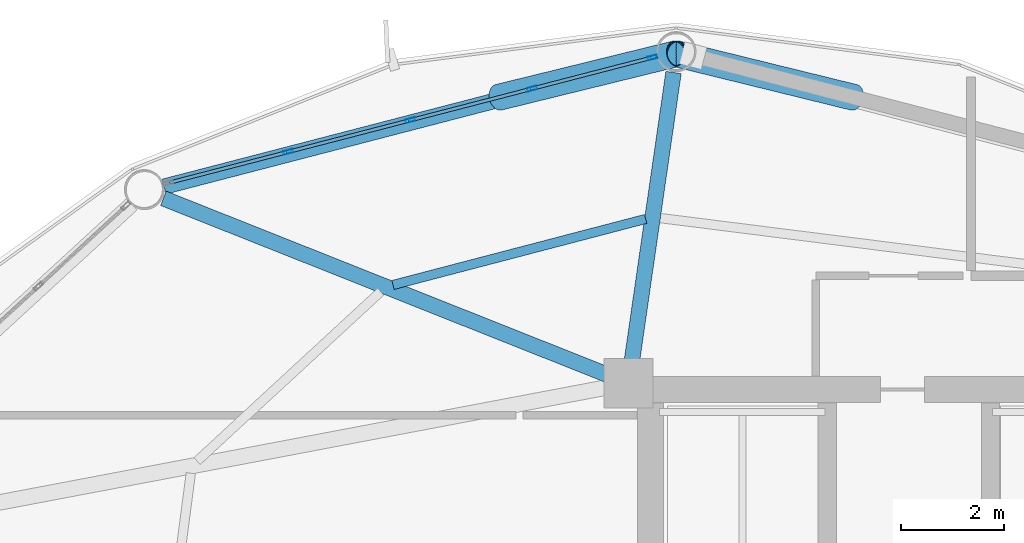
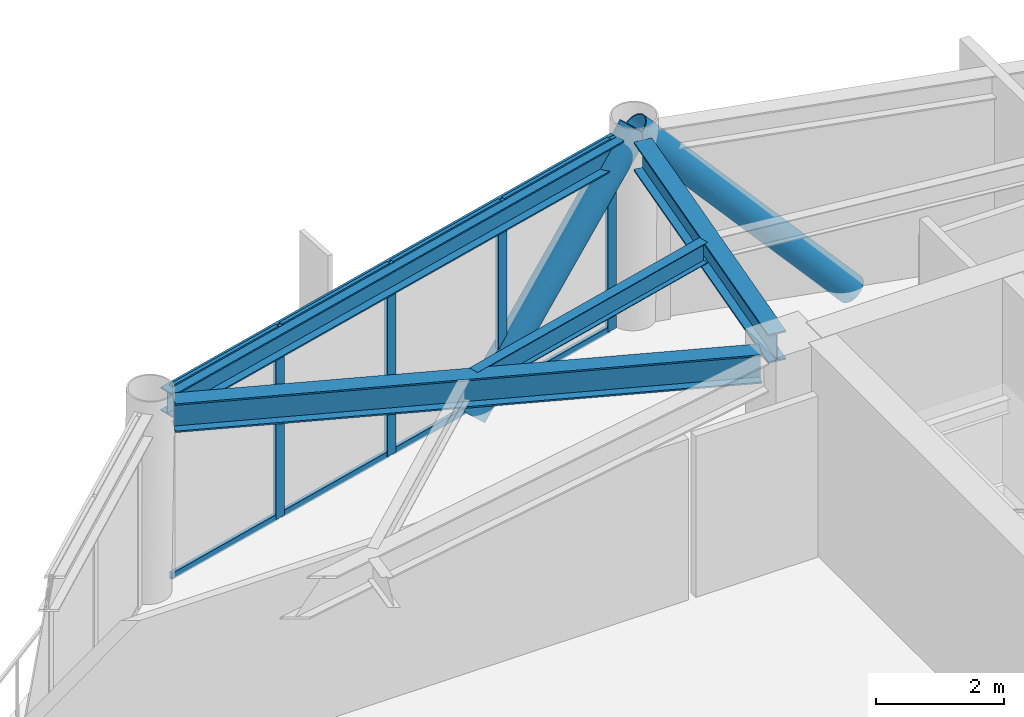
# One storey, part 18 of 26: 14 members, 4 beams, 1 element without a shape of its own.
"""IFC4 building model written with IfcOpenShell, lengths in metres."""

from ifc_helpers import new_model, si_unit, direction, frame, origin, origin_2d, place, context, subcontext, project, spatial, hollow_rectangle, hollow_circle, i_section, extrude, material, layer, layer_set, material_profile, profile_set, type_object, element, aggregate, save


model = new_model("IFC4")

# Units and contexts
model_context = context("Model", 3, precision=1e-05, world=origin(), true_north=direction((0.0, 1.0)))
body_context = subcontext(model_context, "Body", "Model", "MODEL_VIEW")
ifc_project = project(units=[si_unit("LENGTHUNIT", "METRE"), si_unit("AREAUNIT", "SQUARE_METRE"), si_unit("VOLUMEUNIT", "CUBIC_METRE"), si_unit("PLANEANGLEUNIT", "RADIAN"), si_unit("MASSUNIT", "GRAM", prefix="KILO")], contexts=[model_context])

# Site, building, storey
site_placement = place(None, origin())
site = spatial("IfcSite", under=ifc_project, at=site_placement, CompositionType="ELEMENT")
building_placement = place(site_placement, origin())
building = spatial("IfcBuilding", under=site, at=building_placement, Name="Varnakorn Sky Granary", CompositionType="ELEMENT")
storey_placement = place(building_placement, frame((0.0, 0.0, 153.89990234375)))
storey = spatial("IfcBuildingStorey", under=building, at=storey_placement, Name="L38", CompositionType="ELEMENT", Elevation=153.89990234375)

# Beams
ifc_material_1 = material(Name="Steel S355JR", Category="steel")
ifc_material_profile_1 = material_profile(ifc_material_1, i_section(OverallWidth=0.300048828125, OverallDepth=0.550048828125, WebThickness=0.014892578125, FlangeThickness=0.029052734375, at=origin_2d()), Name="HE 550 B")
ifc_profile_set_1 = profile_set([ifc_material_profile_1], Name="Steel S355JR")
beam_type_1 = type_object("IfcBeamType", Name="BM-RAD-Z3", PredefinedType="BEAM", material=ifc_profile_set_1)
beam_1_placement = place(storey_placement, frame((-2.360107421875, 13.03564453125, 3.364990234375), z_axis=(0.142902477757, 0.989736774022, 0.0), x_axis=(-0.989736774022, 0.142902477757, 0.0)))
element("IfcBeam", 1, at=beam_1_placement, inside=storey, type_object=beam_type_1, Name="Radial Floor Girder RG04 L38", PredefinedType="BEAM", context=body_context, shape_type="SweptSolid", body=[
    extrude(i_section(OverallWidth=0.300048828125, OverallDepth=0.550048828125, WebThickness=0.014892578125, FlangeThickness=0.029052734375, at=origin_2d()), origin(), (0.0, 0.0, 1.0), 5.6533203125),
])
beam_2_placement = place(storey_placement, frame((-2.810302734375, 12.775146484375, 3.364990234375), z_axis=(-0.929283434285, 0.369367430567, 0.0), x_axis=(-0.369367430567, -0.929283434285, 0.0)))
element("IfcBeam", 2, at=beam_2_placement, inside=storey, type_object=beam_type_1, Name="Radial Floor Girder RG05 L38", PredefinedType="BEAM", context=body_context, shape_type="SweptSolid", body=[
    extrude(i_section(OverallWidth=0.300048828125, OverallDepth=0.550048828125, WebThickness=0.014892578125, FlangeThickness=0.029052734375, at=origin_2d()), origin(), (0.0, 0.0, 1.0), 9.26220703125),
])
ifc_material_profile_2 = material_profile(ifc_material_1, i_section(OverallWidth=0.179931640625, OverallDepth=0.39990234375, WebThickness=0.008544921875, FlangeThickness=0.013427734375, at=origin_2d()), Name="IPE 400")
ifc_profile_set_2 = profile_set([ifc_material_profile_2], Name="Steel S355JR")
beam_type_2 = type_object("IfcBeamType", Name="BM-SEC-Z3", PredefinedType="BEAM", material=ifc_profile_set_2)
beam_3_placement = place(storey_placement, frame((-2.091552734375, 15.7978515625, 3.440185546875), z_axis=(-0.967520702886, -0.252791790783, 0.0), x_axis=(0.252791790783, -0.967520702886, 0.0)))
element("IfcBeam", 3, at=beam_3_placement, inside=storey, type_object=beam_type_2, Name="Secondary Floor Chord Beam MSB04 L38", PredefinedType="BEAM", context=body_context, shape_type="SweptSolid", body=[
    extrude(i_section(OverallWidth=0.179931640625, OverallDepth=0.39990234375, WebThickness=0.008544921875, FlangeThickness=0.013427734375, at=origin_2d()), origin(), (0.0, 0.0, 1.0), 5.051025390625),
])
ifc_material_profile_3 = material_profile(ifc_material_1, i_section(OverallWidth=0.300048828125, OverallDepth=0.449951171875, WebThickness=0.013916015625, FlangeThickness=0.02587890625, at=origin_2d()), Name="HE 450 B")
ifc_profile_set_3 = profile_set([ifc_material_profile_3], Name="Steel S355JR")
beam_type_3 = type_object("IfcBeamType", Name="BM-SPD-Z3", PredefinedType="SPANDREL", material=ifc_profile_set_3)
beam_4_placement = place(storey_placement, frame((-1.854248046875, 18.901123046875, 3.4150390625), z_axis=(-0.967945219838, -0.251161405061, 0.0), x_axis=(0.251161405061, -0.967945219838, 0.0)))
element("IfcBeam", 4, at=beam_4_placement, inside=storey, type_object=beam_type_3, Name="Perimeter Spandrel Ring Beam RB04 L38", PredefinedType="SPANDREL", context=body_context, shape_type="SweptSolid", body=[
    extrude(i_section(OverallWidth=0.300048828125, OverallDepth=0.449951171875, WebThickness=0.013916015625, FlangeThickness=0.02587890625, at=origin_2d()), origin(), (0.0, 0.0, 1.0), 9.865234375),
])

# Curtain wall, members
ifc_material_2 = material(Name="Anodised Bronze Aluminium Alloy 6063-T6", Category="aluminium")
ifc_layer = layer(ifc_material_2, 0.179931640625, Name="Anodised Bronze Aluminium Alloy 6063-T6")
ifc_layer_set = layer_set([ifc_layer], Name="Anodised Bronze Aluminium Alloy 6063-T6")
curtain_wall_type = type_object("IfcCurtainWallType", Name="CW-FRM-2", PredefinedType="USERDEFINED", material=ifc_layer_set)
curtain_wall_placement = place(storey_placement, origin())
curtain_wall = element("IfcCurtainWall", 5, at=curtain_wall_placement, inside=storey, type_object=curtain_wall_type, Name="Unitised Curtain Wall CW4 CW-L38-B04", ObjectType="CURTAIN WALL", PredefinedType="USERDEFINED")
ifc_material_profile_4 = material_profile(ifc_material_2, hollow_rectangle(XDim=0.070068359375, YDim=0.18505859375, WallThickness=0.00390625, at=origin_2d()), Name="ALU MULL 70x185")
ifc_profile_set_4 = profile_set([ifc_material_profile_4], Name="Anodised Bronze Aluminium Alloy 6063-T6")
member_type_1 = type_object("IfcMemberType", Name="CW-FRM-2-MULL", PredefinedType="MULLION", material=ifc_profile_set_4)
member_1_placement = place(storey_placement, frame((-9.0048828125, 17.094482421875, 0.0), z_axis=(0.0, 0.0, 1.0), x_axis=(-0.250935104668, 0.968003911792, 0.0)))
member_1 = element("IfcMember", 6, at=member_1_placement, type_object=member_type_1, Name="CW4 mullion 2", PredefinedType="MULLION", context=body_context, shape_type="SweptSolid", body=[
    extrude(hollow_rectangle(XDim=0.070068359375, YDim=0.18505859375, WallThickness=0.00390625, at=origin_2d()), origin(), (0.0, 0.0, 1.0), 3.64013671875),
])
member_2_placement = place(storey_placement, frame((-6.6455078125, 17.7060546875, 0.0), z_axis=(0.0, 0.0, 1.0), x_axis=(-0.250935104668, 0.968003911792, 0.0)))
member_2 = element("IfcMember", 7, at=member_2_placement, type_object=member_type_1, Name="CW4 mullion 3", PredefinedType="MULLION", context=body_context, shape_type="SweptSolid", body=[
    extrude(hollow_rectangle(XDim=0.070068359375, YDim=0.18505859375, WallThickness=0.00390625, at=origin_2d()), origin(), (0.0, 0.0, 1.0), 3.64013671875),
])
member_3_placement = place(storey_placement, frame((-4.2861328125, 18.317626953125, 0.0), z_axis=(0.0, 0.0, 1.0), x_axis=(-0.250935104668, 0.968003911792, 0.0)))
member_3 = element("IfcMember", 8, at=member_3_placement, type_object=member_type_1, Name="CW4 mullion 4", PredefinedType="MULLION", context=body_context, shape_type="SweptSolid", body=[
    extrude(hollow_rectangle(XDim=0.070068359375, YDim=0.18505859375, WallThickness=0.00390625, at=origin_2d()), origin(), (0.0, 0.0, 1.0), 3.64013671875),
])
member_4_placement = place(storey_placement, frame((-1.960693359375, 18.92041015625, 0.0), z_axis=(0.0, 0.0, 1.0), x_axis=(-0.250935104668, 0.968003911792, 0.0)))
member_4 = element("IfcMember", 9, at=member_4_placement, type_object=member_type_1, Name="CW4 mullion 5", PredefinedType="MULLION", context=body_context, shape_type="SweptSolid", body=[
    extrude(hollow_rectangle(XDim=0.070068359375, YDim=0.18505859375, WallThickness=0.00390625, at=origin_2d()), origin(), (0.0, 0.0, 1.0), 3.64013671875),
])
ifc_material_profile_5 = material_profile(ifc_material_2, hollow_rectangle(XDim=0.06494140625, YDim=0.1201171875, WallThickness=0.00341796875, at=origin_2d()), Name="ALU TRAN 65x120")
ifc_profile_set_5 = profile_set([ifc_material_profile_5], Name="Anodised Bronze Aluminium Alloy 6063-T6")
member_type_2 = type_object("IfcMemberType", Name="CW-FRM-2-TRAN", PredefinedType="USERDEFINED", material=ifc_profile_set_5)
member_5_placement = place(storey_placement, frame((-11.29638671875, 16.50048828125, 0.03271484375), z_axis=(0.968012906541, 0.250900404085, 0.0), x_axis=(-0.250900404085, 0.968012906541, 0.0)))
member_5 = element("IfcMember", 10, at=member_5_placement, type_object=member_type_2, Name="CW4 transom 1.1", ObjectType="TRANSOM", PredefinedType="USERDEFINED", context=body_context, shape_type="SweptSolid", body=[
    extrude(hollow_rectangle(XDim=0.06494140625, YDim=0.1201171875, WallThickness=0.00341796875, at=origin_2d()), origin(), (0.0, 0.0, 1.0), 2.33251953125),
])
member_6_placement = place(storey_placement, frame((-11.29638671875, 16.50048828125, 3.607666015625), z_axis=(0.968012906541, 0.250900404085, 0.0), x_axis=(-0.250900404085, 0.968012906541, 0.0)))
member_6 = element("IfcMember", 11, at=member_6_placement, type_object=member_type_2, Name="CW4 transom 1.2", ObjectType="TRANSOM", PredefinedType="USERDEFINED", context=body_context, shape_type="SweptSolid", body=[
    extrude(hollow_rectangle(XDim=0.06494140625, YDim=0.1201171875, WallThickness=0.00341796875, at=origin_2d()), origin(), (0.0, 0.0, 1.0), 2.33251953125),
])
member_7_placement = place(storey_placement, frame((-8.970947265625, 17.103271484375, 0.03271484375), z_axis=(0.968007104624, 0.250922787721, 0.0), x_axis=(-0.250922787721, 0.968007104624, 0.0)))
member_7 = element("IfcMember", 12, at=member_7_placement, type_object=member_type_2, Name="CW4 transom 2.1", ObjectType="TRANSOM", PredefinedType="USERDEFINED", context=body_context, shape_type="SweptSolid", body=[
    extrude(hollow_rectangle(XDim=0.06494140625, YDim=0.1201171875, WallThickness=0.00341796875, at=origin_2d()), origin(), (0.0, 0.0, 1.0), 2.3671875),
])
member_8_placement = place(storey_placement, frame((-8.970947265625, 17.103271484375, 3.607666015625), z_axis=(0.968007104624, 0.250922787721, 0.0), x_axis=(-0.250922787721, 0.968007104624, 0.0)))
member_8 = element("IfcMember", 13, at=member_8_placement, type_object=member_type_2, Name="CW4 transom 2.2", ObjectType="TRANSOM", PredefinedType="USERDEFINED", context=body_context, shape_type="SweptSolid", body=[
    extrude(hollow_rectangle(XDim=0.06494140625, YDim=0.1201171875, WallThickness=0.00341796875, at=origin_2d()), origin(), (0.0, 0.0, 1.0), 2.3671875),
])
member_9_placement = place(storey_placement, frame((-6.611572265625, 17.71484375, 0.03271484375), z_axis=(0.968007104624, 0.250922787721, 0.0), x_axis=(-0.250922787721, 0.968007104624, 0.0)))
member_9 = element("IfcMember", 14, at=member_9_placement, type_object=member_type_2, Name="CW4 transom 3.1", ObjectType="TRANSOM", PredefinedType="USERDEFINED", context=body_context, shape_type="SweptSolid", body=[
    extrude(hollow_rectangle(XDim=0.06494140625, YDim=0.1201171875, WallThickness=0.00341796875, at=origin_2d()), origin(), (0.0, 0.0, 1.0), 2.3671875),
])
member_10_placement = place(storey_placement, frame((-6.611572265625, 17.71484375, 3.607666015625), z_axis=(0.968007104624, 0.250922787721, 0.0), x_axis=(-0.250922787721, 0.968007104624, 0.0)))
member_10 = element("IfcMember", 15, at=member_10_placement, type_object=member_type_2, Name="CW4 transom 3.2", ObjectType="TRANSOM", PredefinedType="USERDEFINED", context=body_context, shape_type="SweptSolid", body=[
    extrude(hollow_rectangle(XDim=0.06494140625, YDim=0.1201171875, WallThickness=0.00341796875, at=origin_2d()), origin(), (0.0, 0.0, 1.0), 2.3671875),
])
member_11_placement = place(storey_placement, frame((-4.25244140625, 18.326416015625, 0.03271484375), z_axis=(0.968012906541, 0.250900404085, 0.0), x_axis=(-0.250900404085, 0.968012906541, 0.0)))
member_11 = element("IfcMember", 16, at=member_11_placement, type_object=member_type_2, Name="CW4 transom 4.1", ObjectType="TRANSOM", PredefinedType="USERDEFINED", context=body_context, shape_type="SweptSolid", body=[
    extrude(hollow_rectangle(XDim=0.06494140625, YDim=0.1201171875, WallThickness=0.00341796875, at=origin_2d()), origin(), (0.0, 0.0, 1.0), 2.33251953125),
])
member_12_placement = place(storey_placement, frame((-4.25244140625, 18.326416015625, 3.607666015625), z_axis=(0.968012906541, 0.250900404085, 0.0), x_axis=(-0.250900404085, 0.968012906541, 0.0)))
member_12 = element("IfcMember", 17, at=member_12_placement, type_object=member_type_2, Name="CW4 transom 4.2", ObjectType="TRANSOM", PredefinedType="USERDEFINED", context=body_context, shape_type="SweptSolid", body=[
    extrude(hollow_rectangle(XDim=0.06494140625, YDim=0.1201171875, WallThickness=0.00341796875, at=origin_2d()), origin(), (0.0, 0.0, 1.0), 2.33251953125),
])
aggregate(curtain_wall, [member_1, member_2, member_3, member_4, member_5, member_6, member_7, member_8, member_9, member_10, member_11, member_12])

# Members
ifc_material_3 = material(Name="Steel S460M", Category="steel")
ifc_material_profile_6 = material_profile(ifc_material_3, hollow_circle(Radius=0.25390625, WallThickness=0.01806640625, at=origin_2d()), Name="CHS 508x18")
ifc_profile_set_6 = profile_set([ifc_material_profile_6], Name="Steel S460M")
member_type_3 = type_object("IfcMemberType", Name="MB-DIAG-T2", PredefinedType="BRACE", material=ifc_profile_set_6)
for number, where, z_axis, x_axis, name in (
    (18, (1.930419921875, 18.150634765625, -0.1298828125), (-0.664004133311, 0.163035674324, 0.72973822693), (-0.238451545475, -0.971154395789, 0.0), "Perimeter CHS Diagrid Brace DG03 L38"),
    (19, (-4.930419921875, 18.150634765625, -0.1298828125), (0.664004133311, 0.163035674324, 0.72973822693), (-0.238451545475, 0.971154395789, 0.0), "Perimeter CHS Diagrid Brace DG04 L38"),
):
    element("IfcMember", number, at=place(storey_placement, frame(where, z_axis=z_axis, x_axis=x_axis)), inside=storey, type_object=member_type_3, Name=name, PredefinedType="BRACE", context=body_context, shape_type="SweptSolid", body=[
        extrude(hollow_circle(Radius=0.25390625, WallThickness=0.01806640625, at=origin_2d()), origin(), (0.0, 0.0, 1.0), 5.166259765625),
    ])

save(model, "model.ifc")
